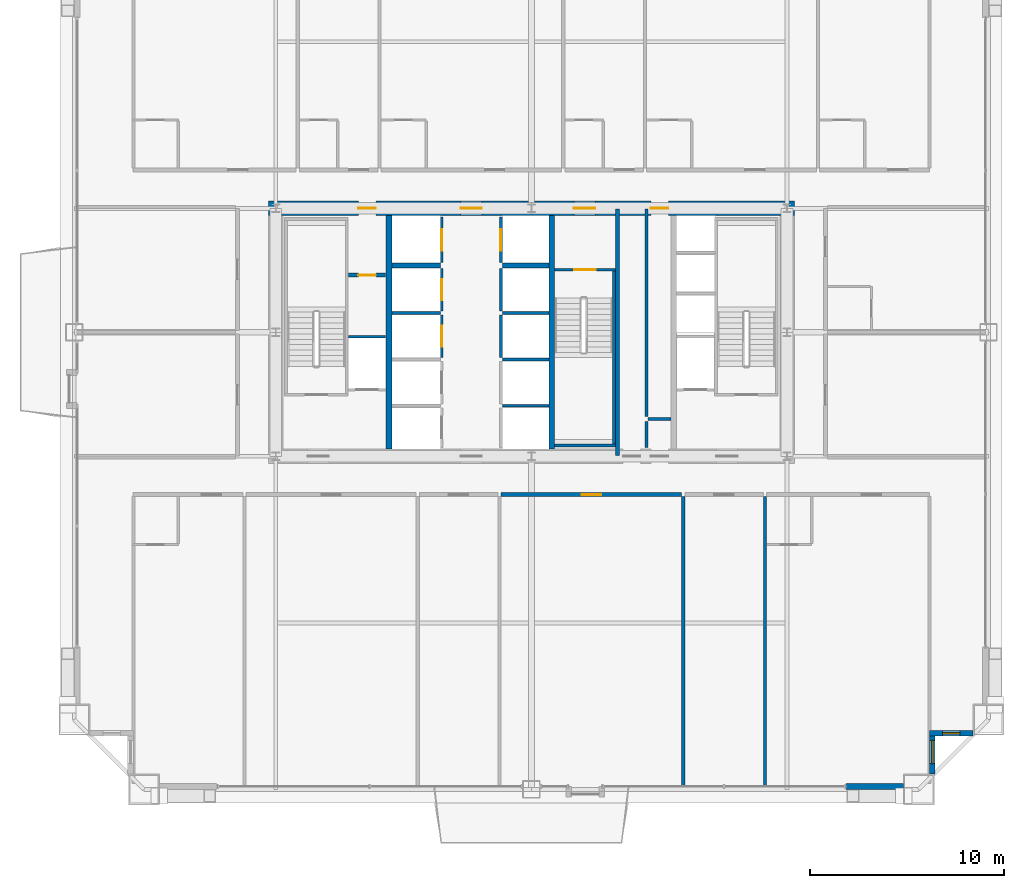
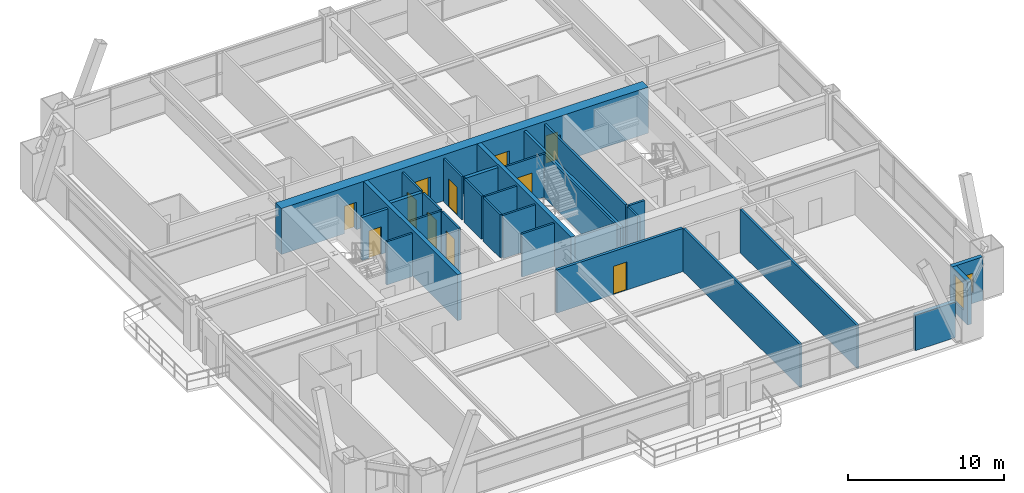
# One storey, part 39 of 42: 30 walls, 11 doors, 2 windows, 13 openings.
"""IFC4 building model written with IfcOpenShell, lengths in metres."""

import ifcopenshell
import ifcopenshell.guid

model = None  # the IFC model being written
_history = None  # IfcOwnerHistory: only IFC2X3 demands one
_inside = {}  # id of a spatial element -> (the spatial element, [elements in it])
_under = {}  # id of a project, library or spatial element -> (it, [spatial elements below it])
_declared = {}  # id of a project -> (the project, [libraries it declares])
_typed = {}  # id of a type object -> (the type object, [elements of that type])
_made_of = {}  # id of a material, layer set ... -> (it, [elements and type objects made of it])


def new_model(schema):
    """Start an empty IFC model of exactly this schema.

    Asked for "IFC4X3", IfcOpenShell would pick the latest addendum, in which some entities
    have other attributes; the version numbers below select the first issue.
    IFC2X3 requires an IfcOwnerHistory on every rooted entity: one is made here for all.
    """
    global model, _history
    if schema == "IFC4X3":
        model = ifcopenshell.file(schema_version=(4, 3, 0, 0))
    else:
        model = ifcopenshell.file(schema=schema)
    _inside.clear()
    _under.clear()
    _declared.clear()
    _typed.clear()
    _made_of.clear()
    _history = None
    if model.schema == "IFC2X3":
        org = make("IfcOrganization", Name="unknown")
        user = make(
            "IfcPersonAndOrganization",
            ThePerson=make("IfcPerson", FamilyName="unknown"),
            TheOrganization=org,
        )
        app = make(
            "IfcApplication",
            ApplicationDeveloper=org,
            Version="unknown",
            ApplicationFullName="unknown",
            ApplicationIdentifier="unknown",
        )
        _history = make(
            "IfcOwnerHistory",
            OwningUser=user,
            OwningApplication=app,
            ChangeAction="ADDED",
            CreationDate=0,
        )
    return model


def make(cls, **values):
    """One entity of the class cls with the attributes given. An attribute that is None is left unset."""
    return model.create_entity(
        cls, **{name: value for name, value in values.items() if value is not None}
    )


def rooted(cls, **values):
    """An entity with a GlobalId (a new one), such as an element, a storey or a relation."""
    return make(cls, GlobalId=ifcopenshell.guid.new(), OwnerHistory=_history, **values)


def si_unit(unit_type, name, prefix=None):
    """IfcSIUnit, for example si_unit("LENGTHUNIT", "METRE", prefix="MILLI")."""
    return make("IfcSIUnit", UnitType=unit_type, Prefix=prefix, Name=name)


def assignment(units):
    """IfcUnitAssignment: the units of a project."""
    return None if units is None else make("IfcUnitAssignment", Units=units)


def point(xyz):
    """IfcCartesianPoint."""
    return None if xyz is None else make("IfcCartesianPoint", Coordinates=xyz)


def direction(xyz):
    """IfcDirection."""
    return None if xyz is None else make("IfcDirection", DirectionRatios=xyz)


def frame(location, z_axis=None, x_axis=None):
    """IfcAxis2Placement3D, a coordinate frame: its origin and axes. An axis left out is left unset."""
    return make(
        "IfcAxis2Placement3D",
        Location=point(location),
        Axis=direction(z_axis),
        RefDirection=direction(x_axis),
    )


def frame_2d(location, x_axis=None):
    """IfcAxis2Placement2D, a coordinate frame in the plane: its origin and x axis."""
    return make(
        "IfcAxis2Placement2D", Location=point(location), RefDirection=direction(x_axis)
    )


def origin():
    """The frame at (0, 0, 0) with its axes left unset."""
    return frame((0.0, 0.0, 0.0))


def place(relative_to, where):
    """IfcLocalPlacement: puts the frame where relative to a parent placement (None: the world)."""
    return make(
        "IfcLocalPlacement", PlacementRelTo=relative_to, RelativePlacement=where
    )


def context(
    kind, dimensions, precision=None, world=None, true_north=None, identifier=None
):
    """IfcGeometricRepresentationContext, for example the 3D "Model" context."""
    return make(
        "IfcGeometricRepresentationContext",
        ContextIdentifier=identifier,
        ContextType=kind,
        CoordinateSpaceDimension=dimensions,
        Precision=precision,
        WorldCoordinateSystem=world,
        TrueNorth=true_north,
    )


def subcontext(parent, identifier, kind, view, scale=None):
    """IfcGeometricRepresentationSubContext, for example "Body" below "Model"."""
    return make(
        "IfcGeometricRepresentationSubContext",
        ContextIdentifier=identifier,
        ContextType=kind,
        ParentContext=parent,
        TargetScale=scale,
        TargetView=view,
    )


def project(units=None, contexts=None):
    """IfcProject with its units and contexts."""
    return rooted(
        "IfcProject",
        Name="project",
        RepresentationContexts=contexts,
        UnitsInContext=assignment(units),
    )


def spatial(cls, under=None, at=None, **own):
    """A site, building, storey or space (cls), placed at a placement, below another one or the project."""
    s = rooted(cls, ObjectPlacement=at, **own)
    if under is not None:
        _under.setdefault(under.id(), (under, []))[1].append(s)
    return s


def profile(cls, at=None, kind="AREA", **sizes):
    """A parametric profile (cls). Its sizes go by their IFC names, for example OverallWidth=200.0."""
    return make(cls, ProfileType=kind, Position=at, **sizes)


def rectangle(**sizes):
    """IfcRectangleProfileDef."""
    return profile("IfcRectangleProfileDef", **sizes)


def extrude(swept, where, along, depth):
    """IfcExtrudedAreaSolid: the profile swept, set in the frame where, extruded along a direction by depth."""
    return make(
        "IfcExtrudedAreaSolid",
        SweptArea=swept,
        Position=where,
        ExtrudedDirection=direction(along),
        Depth=depth,
    )


def shape(context_of_items, identifier, shape_type, items):
    """IfcShapeRepresentation: the items that make up one representation, for example the "Body"."""
    return make(
        "IfcShapeRepresentation",
        ContextOfItems=context_of_items,
        RepresentationIdentifier=identifier,
        RepresentationType=shape_type,
        Items=items,
    )


def source(mapping_origin, context_of_items, identifier, shape_type, items):
    """IfcRepresentationMap: a shape defined once, which mapped items show again and again."""
    return make(
        "IfcRepresentationMap",
        MappingOrigin=mapping_origin,
        MappedRepresentation=shape(context_of_items, identifier, shape_type, items),
    )


def transform(
    local_origin,
    x_axis=None,
    y_axis=None,
    z_axis=None,
    scale=None,
    scale2=None,
    scale3=None,
    uniform=True,
):
    """IfcCartesianTransformationOperator3D, or its non-uniform kind. x_axis, y_axis, z_axis: its Axis1, 2, 3."""
    if uniform:
        return make(
            "IfcCartesianTransformationOperator3D",
            Axis1=direction(x_axis),
            Axis2=direction(y_axis),
            LocalOrigin=point(local_origin),
            Scale=scale,
            Axis3=direction(z_axis),
        )
    return make(
        "IfcCartesianTransformationOperator3DnonUniform",
        Axis1=direction(x_axis),
        Axis2=direction(y_axis),
        LocalOrigin=point(local_origin),
        Scale=scale,
        Axis3=direction(z_axis),
        Scale2=scale2,
        Scale3=scale3,
    )


def mapped(mapping_source, mapping_target):
    """IfcMappedItem: shows the shape of a source again, moved by a transform."""
    return make(
        "IfcMappedItem", MappingSource=mapping_source, MappingTarget=mapping_target
    )


def material(Name=None, Category=None):
    """IfcMaterial."""
    return make("IfcMaterial", Name=Name, Category=Category)


def layer(
    of_material, thickness, ventilated=None, Name=None, Category=None, Priority=None
):
    """IfcMaterialLayer: one layer of a wall or slab, of a material (None: an air gap)."""
    return make(
        "IfcMaterialLayer",
        Material=of_material,
        LayerThickness=thickness,
        IsVentilated=ventilated,
        Name=Name,
        Category=Category,
        Priority=Priority,
    )


def layer_set(layers, Name=None):
    """IfcMaterialLayerSet."""
    return make("IfcMaterialLayerSet", MaterialLayers=layers, LayerSetName=Name)


def made_of(thing, what):
    """Note that an element or type object is made of a material, layer set ...; save() writes the relation."""
    if what is not None:
        _made_of.setdefault(what.id(), (what, []))[1].append(thing)
    return thing


def type_object(cls, material=None, **own):
    """A type object (cls), such as IfcWallType, which elements share."""
    return made_of(rooted(cls, **own), material)


def element(
    cls,
    number,
    at=None,
    inside=None,
    cuts=None,
    type_object=None,
    material=None,
    context=None,
    identifier="Body",
    shape_type=None,
    held_by="IfcProductDefinitionShape",
    body=None,
    shapes=None,
    **own,
):
    """One element of the class cls, such as IfcWall. Its Tag is "e" and its number.

    at: its placement. inside: the storey or other place that contains it. cuts: it is an
    opening in that element (IfcRelVoidsElement). A single representation is given by context,
    identifier, shape_type and body (its items); several are given by shapes. held_by: the class
    of the entity that holds the representations. save() writes the other relations.
    """
    e = rooted(cls, Tag="e%d" % number, ObjectPlacement=at, **own)
    if body is not None:
        shapes = [shape(context, identifier, shape_type, body)]
    if shapes is not None:
        e.Representation = make(held_by, Representations=shapes)
    if inside is not None:
        _inside.setdefault(inside.id(), (inside, []))[1].append(e)
    if cuts is not None:
        rooted(
            "IfcRelVoidsElement", RelatingBuildingElement=cuts, RelatedOpeningElement=e
        )
    if type_object is not None:
        _typed.setdefault(type_object.id(), (type_object, []))[1].append(e)
    return made_of(e, material)


def fill(opening, filler):
    """IfcRelFillsElement: the door or window that sits in an opening."""
    return rooted(
        "IfcRelFillsElement",
        RelatingOpeningElement=opening,
        RelatedBuildingElement=filler,
    )


def aggregate(whole, parts):
    """IfcRelAggregates: a whole, such as a stair, and the parts it consists of."""
    return rooted("IfcRelAggregates", RelatingObject=whole, RelatedObjects=parts)


def save(model, path):
    """Write the relations noted so far, then the file.

    IfcRelAggregates (storeys below a building ...), IfcRelContainedInSpatialStructure (elements
    in a storey), IfcRelDefinesByType, IfcRelAssociatesMaterial and IfcRelDeclares: one each for
    every whole, place, type object, material and project.
    """
    for whole, parts in _under.values():
        aggregate(whole, parts)
    for where, things in _inside.values():
        rooted(
            "IfcRelContainedInSpatialStructure",
            RelatedElements=things,
            RelatingStructure=where,
        )
    for kind, things in _typed.values():
        rooted("IfcRelDefinesByType", RelatedObjects=things, RelatingType=kind)
    for what, things in _made_of.values():
        rooted("IfcRelAssociatesMaterial", RelatedObjects=things, RelatingMaterial=what)
    for by, libraries in _declared.values():
        rooted("IfcRelDeclares", RelatingContext=by, RelatedDefinitions=libraries)
    model.write(path)


model = new_model("IFC4")

# Units and contexts
model_context = context("Model", 3, precision=1e-05, world=origin(), true_north=direction((0.0, 1.0)))
body_context = subcontext(model_context, "Body", "Model", "MODEL_VIEW")
ifc_project = project(units=[si_unit("LENGTHUNIT", "METRE"), si_unit("AREAUNIT", "SQUARE_METRE"), si_unit("VOLUMEUNIT", "CUBIC_METRE"), si_unit("PLANEANGLEUNIT", "RADIAN"), si_unit("MASSUNIT", "GRAM", prefix="KILO"), si_unit("THERMODYNAMICTEMPERATUREUNIT", "KELVIN"), si_unit("POWERUNIT", "WATT")], contexts=[model_context])

# Site, building, storey
site_placement = place(None, origin())
site = spatial("IfcSite", under=ifc_project, at=site_placement, CompositionType="ELEMENT")
building_placement = place(site_placement, origin())
building = spatial("IfcBuilding", under=site, at=building_placement, Name="Yuzanri Waterfront Tower", CompositionType="ELEMENT")
storey_placement = place(building_placement, frame((0.0, 0.0, 145.199951171875)))
storey = spatial("IfcBuildingStorey", under=building, at=storey_placement, Name="L38", CompositionType="ELEMENT", Elevation=145.199951171875)

# Wall, opening, window
ifc_material_1 = material(Name="Honed Chongqing Dark Basalt Stone", Category="masonry")
ifc_layer_1 = layer(ifc_material_1, 0.300048828125)
ifc_layer_set_1 = layer_set([ifc_layer_1], Name="Honed Chongqing Dark Basalt Stone")
wall_type_1 = type_object("IfcWallType", Name="Bronze Rainscreen Insulated Spandrel Portal Wall 300", PredefinedType="SOLIDWALL", material=ifc_layer_set_1)
wall_1_placement = place(storey_placement, frame((57.550048828125, 5.10009765625, 0.0), z_axis=(0.0, 0.0, 1.0), x_axis=(1.0, 0.0, 0.0)))
wall_1 = element("IfcWall", 1, at=wall_1_placement, inside=storey, type_object=wall_type_1, Name="L38 Notched Corner Masonry Wall SE-X", PredefinedType="SOLIDWALL", context=body_context, shape_type="SweptSolid", body=[
    extrude(rectangle(XDim=2.25, YDim=0.300048828125, at=frame_2d((1.125, 0.0))), origin(), (0.0, 0.0, 1.0), 3.380126953125),
])
opening_1_placement = place(wall_1_placement, frame((0.675048828125, 0.0, 0.85009765625)))
opening_1 = element("IfcOpeningElement", 2, at=opening_1_placement, cuts=wall_1, Name="Opening WN-05", PredefinedType="OPENING", context=body_context, shape_type="SweptSolid", body=[
    extrude(rectangle(XDim=0.89990234375, YDim=1.5, at=frame_2d((0.449951171875, 0.75))), frame((0.0, 0.1650390625, 0.0), z_axis=(0.0, -1.0, 0.0), x_axis=(1.0, 0.0, 0.0)), (0.0, 0.0, 1.0), 0.329833984375),
])
ifc_material_2 = material(Name="Double-Silver Low-E Insulated Glass", Category="glass")
window_type_1 = type_object("IfcWindowType", Name="Anodized Bronze Service and Stairwell Smoke-Vent Window 900x1500", PartitioningType="SINGLE_PANEL", PredefinedType="WINDOW", material=ifc_material_2)
shared_shape_1 = source(origin(), body_context, "Body", "SweptSolid", [
    extrude(rectangle(XDim=0.89990234375, YDim=1.5, at=frame_2d((0.449951171875, 0.75))), frame((0.0, 0.030029296875, 0.0), z_axis=(0.0, -1.0, 0.0), x_axis=(1.0, 0.0, 0.0)), (0.0, 0.0, 1.0), 0.06005859375),
])
window_1_placement = place(opening_1_placement, origin())
window_1 = element("IfcWindow", 3, at=window_1_placement, inside=storey, type_object=window_type_1, Name="L38 Notched Corner Window SE-X", OverallHeight=1.5, OverallWidth=0.89990234375, PartitioningType="SINGLE_PANEL", PredefinedType="WINDOW", context=body_context, shape_type="MappedRepresentation", body=[
    mapped(shared_shape_1, transform((0.0, 0.0, 0.0), scale=1.0)),
])
fill(opening_1, window_1)

wall_2_placement = place(storey_placement, frame((57.699951171875, 3.0, 0.0), z_axis=(0.0, 0.0, 1.0), x_axis=(0.0, 1.0, 0.0)))
wall_2 = element("IfcWall", 4, at=wall_2_placement, inside=storey, type_object=wall_type_1, Name="L38 Notched Corner Masonry Wall SE-Y", PredefinedType="SOLIDWALL", context=body_context, shape_type="SweptSolid", body=[
    extrude(rectangle(XDim=2.25, YDim=0.300048828125, at=frame_2d((1.125, 0.0))), origin(), (0.0, 0.0, 1.0), 3.380126953125),
])
opening_2_placement = place(wall_2_placement, frame((0.52490234375, 0.0, 0.85009765625)))
opening_2 = element("IfcOpeningElement", 5, at=opening_2_placement, cuts=wall_2, Name="Opening WN-02", PredefinedType="OPENING", context=body_context, shape_type="SweptSolid", body=[
    extrude(rectangle(XDim=1.199951171875, YDim=2.10009765625, at=frame_2d((0.60009765625, 1.050048828125))), frame((0.0, 0.1650390625, 0.0), z_axis=(0.0, -1.0, 0.0), x_axis=(1.0, 0.0, 0.0)), (0.0, 0.0, 1.0), 0.329833984375),
])
ifc_material_3 = material(Name="Double-Silver Low-E Insulated Glass", Category="glass")
window_type_2 = type_object("IfcWindowType", Name="Anodized Bronze Notched Corner Deep-Set Slot Window 1200x2100", PartitioningType="SINGLE_PANEL", PredefinedType="WINDOW", material=ifc_material_3)
shared_shape_2 = source(origin(), body_context, "Body", "SweptSolid", [
    extrude(rectangle(XDim=1.199951171875, YDim=2.10009765625, at=frame_2d((0.60009765625, 1.050048828125))), frame((0.0, 0.030029296875, 0.0), z_axis=(0.0, -1.0, 0.0), x_axis=(1.0, 0.0, 0.0)), (0.0, 0.0, 1.0), 0.06005859375),
])
window_2_placement = place(opening_2_placement, origin())
window_2 = element("IfcWindow", 6, at=window_2_placement, inside=storey, type_object=window_type_2, Name="L38 Notched Corner Window SE-Y", OverallHeight=2.10009765625, OverallWidth=1.199951171875, PartitioningType="SINGLE_PANEL", PredefinedType="WINDOW", context=body_context, shape_type="MappedRepresentation", body=[
    mapped(shared_shape_2, transform((0.0, 0.0, 0.0), scale=1.0)),
])
fill(opening_2, window_2)

# Wall, openings, doors
ifc_material_4 = material(Name="Concrete C55", Category="concrete")
ifc_layer_2 = layer(ifc_material_4, 0.75)
ifc_layer_set_2 = layer_set([ifc_layer_2], Name="Concrete C55")
wall_type_2 = type_object("IfcWallType", Name="Concrete C55 Low-Mid Zone Core Shear Wall 750", PredefinedType="SHEAR", material=ifc_layer_set_2)
wall_3_placement = place(storey_placement, frame((23.425048828125, 32.199951171875, 0.0), z_axis=(0.0, 0.0, 1.0), x_axis=(1.0, 0.0, 0.0)))
wall_3 = element("IfcWall", 7, at=wall_3_placement, inside=storey, type_object=wall_type_2, Name="L38 Core North Shear Wall", PredefinedType="SHEAR", context=body_context, shape_type="SweptSolid", body=[
    extrude(rectangle(XDim=27.14990234375, YDim=0.75, at=frame_2d((13.574951171875, 0.0))), origin(), (0.0, 0.0, 1.0), 3.60009765625),
])
opening_3_placement = place(wall_3_placement, frame((4.64501953125, 0.0, 0.0)))
opening_3 = element("IfcOpeningElement", 8, at=opening_3_placement, cuts=wall_3, Name="Opening FD-0900", PredefinedType="OPENING", context=body_context, shape_type="SweptSolid", body=[
    extrude(rectangle(XDim=0.89990234375, YDim=2.14990234375, at=frame_2d((0.449951171875, 1.074951171875))), frame((0.0, 0.389892578125, 0.0), z_axis=(0.0, -1.0, 0.0), x_axis=(1.0, 0.0, 0.0)), (0.0, 0.0, 1.0), 0.77978515625),
])
opening_4_placement = place(wall_3_placement, frame((9.925048828125, 0.0, 0.0)))
opening_4 = element("IfcOpeningElement", 9, at=opening_4_placement, cuts=wall_3, Name="Opening FD-1100", PredefinedType="OPENING", context=body_context, shape_type="SweptSolid", body=[
    extrude(rectangle(XDim=1.10009765625, YDim=2.199951171875, at=frame_2d((0.550048828125, 1.10009765625))), frame((0.0, 0.389892578125, 0.0), z_axis=(0.0, -1.0, 0.0), x_axis=(1.0, 0.0, 0.0)), (0.0, 0.0, 1.0), 0.77978515625),
])
opening_5_placement = place(wall_3_placement, frame((15.77490234375, 0.0, 0.0)))
opening_5 = element("IfcOpeningElement", 10, at=opening_5_placement, cuts=wall_3, Name="Opening FD-1100", PredefinedType="OPENING", context=body_context, shape_type="SweptSolid", body=[
    extrude(rectangle(XDim=1.10009765625, YDim=2.199951171875, at=frame_2d((0.550048828125, 1.10009765625))), frame((0.0, 0.389892578125, 0.0), z_axis=(0.0, -1.0, 0.0), x_axis=(1.0, 0.0, 0.0)), (0.0, 0.0, 1.0), 0.77978515625),
])
opening_6_placement = place(wall_3_placement, frame((19.7451171875, 0.0, 0.0)))
opening_6 = element("IfcOpeningElement", 11, at=opening_6_placement, cuts=wall_3, Name="Opening FD-0900", PredefinedType="OPENING", context=body_context, shape_type="SweptSolid", body=[
    extrude(rectangle(XDim=0.89990234375, YDim=2.14990234375, at=frame_2d((0.449951171875, 1.074951171875))), frame((0.0, 0.389892578125, 0.0), z_axis=(0.0, -1.0, 0.0), x_axis=(1.0, 0.0, 0.0)), (0.0, 0.0, 1.0), 0.77978515625),
])
ifc_material_5 = material(Name="Painted Galvanized Fire Steel", Category="steel")
door_type_1 = type_object("IfcDoorType", Name="Smoke-Proof Stair and Lobby Fire Door 1100x2200", OperationType="NOTDEFINED", PredefinedType="DOOR", material=ifc_material_5)
shared_shape_3 = source(origin(), body_context, "Body", "SweptSolid", [
    extrude(rectangle(XDim=1.10009765625, YDim=2.199951171875, at=frame_2d((0.550048828125, 1.10009765625))), frame((0.0, 0.02490234375, 0.0), z_axis=(0.0, -1.0, 0.0), x_axis=(1.0, 0.0, 0.0)), (0.0, 0.0, 1.0), 0.050048828125),
])
door_1_placement = place(opening_4_placement, origin())
door_1 = element("IfcDoor", 12, at=door_1_placement, inside=storey, type_object=door_type_1, Name="L38 Central Lift Lobby North Door", OperationType="SINGLE_SWING_RIGHT", OverallHeight=2.199951171875, OverallWidth=1.10009765625, PredefinedType="DOOR", context=body_context, shape_type="MappedRepresentation", body=[
    mapped(shared_shape_3, transform((0.0, 0.0, 0.0), scale=1.0)),
])
fill(opening_4, door_1)
door_2_placement = place(opening_5_placement, origin())
door_2 = element("IfcDoor", 13, at=door_2_placement, inside=storey, type_object=door_type_1, Name="L38 North Stair Lobby Door", OperationType="SINGLE_SWING_LEFT", OverallHeight=2.199951171875, OverallWidth=1.10009765625, PredefinedType="DOOR", context=body_context, shape_type="MappedRepresentation", body=[
    mapped(shared_shape_3, transform((0.0, 0.0, 0.0), scale=1.0)),
])
fill(opening_5, door_2)
ifc_material_6 = material(Name="Painted Galvanized Fire Steel", Category="steel")
door_type_2 = type_object("IfcDoorType", Name="Riser and Service Room Fire Door 900x2150", OperationType="NOTDEFINED", PredefinedType="DOOR", material=ifc_material_6)
shared_shape_4 = source(origin(), body_context, "Body", "SweptSolid", [
    extrude(rectangle(XDim=0.89990234375, YDim=2.14990234375, at=frame_2d((0.449951171875, 1.074951171875))), frame((0.0, 0.02490234375, 0.0), z_axis=(0.0, -1.0, 0.0), x_axis=(1.0, 0.0, 0.0)), (0.0, 0.0, 1.0), 0.050048828125),
])
door_3_placement = place(opening_3_placement, origin())
door_3 = element("IfcDoor", 14, at=door_3_placement, inside=storey, type_object=door_type_2, Name="L38 Telecom Riser Door", OperationType="SINGLE_SWING_LEFT", OverallHeight=2.14990234375, OverallWidth=0.89990234375, PredefinedType="DOOR", context=body_context, shape_type="MappedRepresentation", body=[
    mapped(shared_shape_4, transform((0.0, 0.0, 0.0), scale=1.0)),
])
fill(opening_3, door_3)
door_4_placement = place(opening_6_placement, origin())
door_4 = element("IfcDoor", 15, at=door_4_placement, inside=storey, type_object=door_type_2, Name="L38 Linen Store Room", OperationType="SINGLE_SWING_LEFT", OverallHeight=2.14990234375, OverallWidth=0.89990234375, PredefinedType="DOOR", context=body_context, shape_type="MappedRepresentation", body=[
    mapped(shared_shape_4, transform((0.0, 0.0, 0.0), scale=1.0)),
])
fill(opening_6, door_4)

# Wall, opening, door
ifc_material_7 = material(Name="Concrete C40", Category="concrete")
ifc_layer_3 = layer(ifc_material_7, 0.139892578125)
ifc_layer_set_3 = layer_set([ifc_layer_3], Name="Concrete C40")
wall_type_3 = type_object("IfcWallType", Name="Core Stair Liner and Hoistway Shaft Wall 140", PredefinedType="SOLIDWALL", material=ifc_layer_set_3)
wall_4_placement = place(storey_placement, frame((32.3701171875, 24.5, 0.0), z_axis=(0.0, 0.0, 1.0), x_axis=(0.0, 1.0, 0.0)))
wall_4 = element("IfcWall", 16, at=wall_4_placement, inside=storey, type_object=wall_type_3, Name="L38 Lift PL-03 Front Shaft Wall", PredefinedType="SOLIDWALL", context=body_context, shape_type="SweptSolid", body=[
    extrude(rectangle(XDim=2.199951171875, YDim=0.139892578125, at=frame_2d((1.10009765625, 0.0))), origin(), (0.0, 0.0, 1.0), 3.380126953125),
])
opening_7_placement = place(wall_4_placement, frame((0.550048828125, 0.0, 0.0)))
opening_7 = element("IfcOpeningElement", 17, at=opening_7_placement, cuts=wall_4, Name="Opening LD-PL-03", PredefinedType="OPENING", context=body_context, shape_type="SweptSolid", body=[
    extrude(rectangle(XDim=1.10009765625, YDim=2.199951171875, at=frame_2d((0.550048828125, 1.10009765625))), frame((0.0, 0.0849609375, 0.0), z_axis=(0.0, -1.0, 0.0), x_axis=(1.0, 0.0, 0.0)), (0.0, 0.0, 1.0), 0.169677734375),
])
ifc_material_8 = material(Name="Brushed Bronze and Stainless Steel Cab", Category="steel")
door_type_3 = type_object("IfcDoorType", Name="Center-Parting Bronze Lift Landing Sliding Door 1100x2200", OperationType="NOTDEFINED", PredefinedType="DOOR", material=ifc_material_8)
shared_shape_5 = source(origin(), body_context, "Body", "SweptSolid", [
    extrude(rectangle(XDim=1.10009765625, YDim=2.199951171875, at=frame_2d((0.550048828125, 1.10009765625))), frame((0.0, 0.02490234375, 0.0), z_axis=(0.0, -1.0, 0.0), x_axis=(1.0, 0.0, 0.0)), (0.0, 0.0, 1.0), 0.050048828125),
])
door_5_placement = place(opening_7_placement, origin())
door_5 = element("IfcDoor", 18, at=door_5_placement, inside=storey, type_object=door_type_3, Name="L38 PL-03 Lift Landing Sliding Door", OperationType="SLIDING_TO_LEFT", OverallHeight=2.199951171875, OverallWidth=1.10009765625, PredefinedType="DOOR", context=body_context, shape_type="MappedRepresentation", body=[
    mapped(shared_shape_5, transform((0.0, 0.0, 0.0), scale=1.0)),
])
fill(opening_7, door_5)

wall_5_placement = place(storey_placement, frame((32.3701171875, 26.89990234375, 0.0), z_axis=(0.0, 0.0, 1.0), x_axis=(0.0, 1.0, 0.0)))
wall_5 = element("IfcWall", 19, at=wall_5_placement, inside=storey, type_object=wall_type_3, Name="L38 Lift PL-04 Front Shaft Wall", PredefinedType="SOLIDWALL", context=body_context, shape_type="SweptSolid", body=[
    extrude(rectangle(XDim=2.2001953125, YDim=0.139892578125, at=frame_2d((1.10009765625, 0.0))), origin(), (0.0, 0.0, 1.0), 3.380126953125),
])
opening_8_placement = place(wall_5_placement, frame((0.550048828125, 0.0, 0.0)))
opening_8 = element("IfcOpeningElement", 20, at=opening_8_placement, cuts=wall_5, Name="Opening LD-PL-04", PredefinedType="OPENING", context=body_context, shape_type="SweptSolid", body=[
    extrude(rectangle(XDim=1.10009765625, YDim=2.199951171875, at=frame_2d((0.550048828125, 1.10009765625))), frame((0.0, 0.0849609375, 0.0), z_axis=(0.0, -1.0, 0.0), x_axis=(1.0, 0.0, 0.0)), (0.0, 0.0, 1.0), 0.169677734375),
])
door_6_placement = place(opening_8_placement, origin())
door_6 = element("IfcDoor", 21, at=door_6_placement, inside=storey, type_object=door_type_3, Name="L38 PL-04 Lift Landing Sliding Door", OperationType="SLIDING_TO_RIGHT", OverallHeight=2.199951171875, OverallWidth=1.10009765625, PredefinedType="DOOR", context=body_context, shape_type="MappedRepresentation", body=[
    mapped(shared_shape_5, transform((0.0, 0.0, 0.0), scale=1.0)),
])
fill(opening_8, door_6)

wall_6_placement = place(storey_placement, frame((32.3701171875, 29.39990234375, 0.0), z_axis=(0.0, 0.0, 1.0), x_axis=(0.0, 1.0, 0.0)))
wall_6 = element("IfcWall", 22, at=wall_6_placement, inside=storey, type_object=wall_type_3, Name="L38 Lift SL-01 Front Shaft Wall", PredefinedType="SOLIDWALL", context=body_context, shape_type="SweptSolid", body=[
    extrude(rectangle(XDim=2.340087890625, YDim=0.139892578125, at=frame_2d((1.169921875, 0.0))), origin(), (0.0, 0.0, 1.0), 3.380126953125),
])
opening_9_placement = place(wall_6_placement, frame((0.6201171875, 0.0, 0.0)))
opening_9 = element("IfcOpeningElement", 23, at=opening_9_placement, cuts=wall_6, Name="Opening LD-SL-01", PredefinedType="OPENING", context=body_context, shape_type="SweptSolid", body=[
    extrude(rectangle(XDim=1.10009765625, YDim=2.199951171875, at=frame_2d((0.550048828125, 1.10009765625))), frame((0.0, 0.0849609375, 0.0), z_axis=(0.0, -1.0, 0.0), x_axis=(1.0, 0.0, 0.0)), (0.0, 0.0, 1.0), 0.169677734375),
])
door_7_placement = place(opening_9_placement, origin())
door_7 = element("IfcDoor", 24, at=door_7_placement, inside=storey, type_object=door_type_3, Name="L38 SL-01 Lift Landing Sliding Door", OperationType="SLIDING_TO_LEFT", OverallHeight=2.199951171875, OverallWidth=1.10009765625, PredefinedType="DOOR", context=body_context, shape_type="MappedRepresentation", body=[
    mapped(shared_shape_5, transform((0.0, 0.0, 0.0), scale=1.0)),
])
fill(opening_9, door_7)

wall_7_placement = place(storey_placement, frame((35.429931640625, 29.39990234375, 0.0), z_axis=(0.0, 0.0, 1.0), x_axis=(0.0, 1.0, 0.0)))
wall_7 = element("IfcWall", 25, at=wall_7_placement, inside=storey, type_object=wall_type_3, Name="L38 Lift SL-02 Front Shaft Wall", PredefinedType="SOLIDWALL", context=body_context, shape_type="SweptSolid", body=[
    extrude(rectangle(XDim=2.340087890625, YDim=0.139892578125, at=frame_2d((1.169921875, 0.0))), origin(), (0.0, 0.0, 1.0), 3.380126953125),
])
opening_10_placement = place(wall_7_placement, frame((0.6201171875, 0.0, 0.0)))
opening_10 = element("IfcOpeningElement", 26, at=opening_10_placement, cuts=wall_7, Name="Opening LD-SL-02", PredefinedType="OPENING", context=body_context, shape_type="SweptSolid", body=[
    extrude(rectangle(XDim=1.10009765625, YDim=2.199951171875, at=frame_2d((0.550048828125, 1.10009765625))), frame((0.0, 0.0849609375, 0.0), z_axis=(0.0, -1.0, 0.0), x_axis=(1.0, 0.0, 0.0)), (0.0, 0.0, 1.0), 0.169677734375),
])
door_8_placement = place(opening_10_placement, origin())
door_8 = element("IfcDoor", 27, at=door_8_placement, inside=storey, type_object=door_type_3, Name="L38 SL-02 Lift Landing Sliding Door", OperationType="SLIDING_TO_RIGHT", OverallHeight=2.199951171875, OverallWidth=1.10009765625, PredefinedType="DOOR", context=body_context, shape_type="MappedRepresentation", body=[
    mapped(shared_shape_5, transform((0.0, 0.0, 0.0), scale=1.0)),
])
fill(opening_10, door_8)

wall_8_placement = place(storey_placement, frame((38.199951171875, 29.030029296875, 0.0), z_axis=(0.0, 0.0, 1.0), x_axis=(1.0, 0.0, 0.0)))
wall_8 = element("IfcWall", 28, at=wall_8_placement, inside=storey, type_object=wall_type_3, Name="L38 Shaft Wall STW-L38-ST-03-N", PredefinedType="SOLIDWALL", context=body_context, shape_type="SweptSolid", body=[
    extrude(rectangle(XDim=3.14013671875, YDim=0.139892578125, at=frame_2d((1.570068359375, 0.0))), origin(), (0.0, 0.0, 1.0), 3.380126953125),
])
opening_11_placement = place(wall_8_placement, frame((1.02001953125, 0.0, 0.0)))
opening_11 = element("IfcOpeningElement", 29, at=opening_11_placement, cuts=wall_8, Name="Opening FD-1100", PredefinedType="OPENING", context=body_context, shape_type="SweptSolid", body=[
    extrude(rectangle(XDim=1.10009765625, YDim=2.199951171875, at=frame_2d((0.550048828125, 1.10009765625))), frame((0.0, 0.0849609375, 0.0), z_axis=(0.0, -1.0, 0.0), x_axis=(1.0, 0.0, 0.0)), (0.0, 0.0, 1.0), 0.169677734375),
])
door_9_placement = place(opening_11_placement, origin())
door_9 = element("IfcDoor", 30, at=door_9_placement, inside=storey, type_object=door_type_1, Name="L38 Stair ST-03 Fire Door", OperationType="SINGLE_SWING_LEFT", OverallHeight=2.199951171875, OverallWidth=1.10009765625, PredefinedType="DOOR", context=body_context, shape_type="MappedRepresentation", body=[
    mapped(shared_shape_3, transform((0.0, 0.0, 0.0), scale=1.0)),
])
fill(opening_11, door_9)

ifc_material_9 = material(Name="Autoclaved Aerated Concrete Blockwork", Category="masonry")
ifc_layer_4 = layer(ifc_material_9, 0.199951171875)
ifc_layer_set_4 = layer_set([ifc_layer_4], Name="Autoclaved Aerated Concrete Blockwork")
wall_type_4 = type_object("IfcWallType", Name="Corridor and Unit Party Fire Wall 200", PredefinedType="PARTITIONING", material=ifc_layer_set_4)
wall_9_placement = place(storey_placement, frame((27.56005859375, 28.75, 0.0), z_axis=(0.0, 0.0, 1.0), x_axis=(1.0, 0.0, 0.0)))
wall_9 = element("IfcWall", 31, at=wall_9_placement, inside=storey, type_object=wall_type_4, Name="L38 Partition CRW-L38-ERTR", PredefinedType="PARTITIONING", context=body_context, shape_type="SweptSolid", body=[
    extrude(rectangle(XDim=1.919921875, YDim=0.199951171875, at=frame_2d((0.9599609375, 0.0))), origin(), (0.0, 0.0, 1.0), 3.380126953125),
])
opening_12_placement = place(wall_9_placement, frame((0.510009765625, 0.0, 0.0)))
opening_12 = element("IfcOpeningElement", 32, at=opening_12_placement, cuts=wall_9, Name="Opening FD-0900", PredefinedType="OPENING", context=body_context, shape_type="SweptSolid", body=[
    extrude(rectangle(XDim=0.89990234375, YDim=2.14990234375, at=frame_2d((0.449951171875, 1.074951171875))), frame((0.0, 0.11474609375, 0.0), z_axis=(0.0, -1.0, 0.0), x_axis=(1.0, 0.0, 0.0)), (0.0, 0.0, 1.0), 0.229736328125),
])
door_10_placement = place(opening_12_placement, origin())
door_10 = element("IfcDoor", 33, at=door_10_placement, inside=storey, type_object=door_type_2, Name="L38 Electrical Riser Door", OperationType="SINGLE_SWING_RIGHT", OverallHeight=2.14990234375, OverallWidth=0.89990234375, PredefinedType="DOOR", context=body_context, shape_type="MappedRepresentation", body=[
    mapped(shared_shape_4, transform((0.0, 0.0, 0.0), scale=1.0)),
])
fill(opening_12, door_10)

wall_10_placement = place(storey_placement, frame((35.43505859375, 17.419921875, 0.0), z_axis=(0.0, 0.0, 1.0), x_axis=(1.0, 0.0, 0.0)))
wall_10 = element("IfcWall", 34, at=wall_10_placement, inside=storey, type_object=wall_type_4, Name="L38 Partition UW-L38-S4-CN", PredefinedType="PARTITIONING", context=body_context, shape_type="SweptSolid", body=[
    extrude(rectangle(XDim=9.324951171875, YDim=0.199951171875, at=frame_2d((4.66259765625, 0.0))), origin(), (0.0, 0.0, 1.0), 3.380126953125),
])
opening_13_placement = place(wall_10_placement, frame((4.162109375, 0.0, 0.0)))
opening_13 = element("IfcOpeningElement", 35, at=opening_13_placement, cuts=wall_10, Name="Opening FD-1000", PredefinedType="OPENING", context=body_context, shape_type="SweptSolid", body=[
    extrude(rectangle(XDim=1.0, YDim=2.199951171875, at=frame_2d((0.5, 1.10009765625))), frame((0.0, 0.11474609375, 0.0), z_axis=(0.0, -1.0, 0.0), x_axis=(1.0, 0.0, 0.0)), (0.0, 0.0, 1.0), 0.229736328125),
])
ifc_material_10 = material(Name="Engineered Oak Fire-Rated Timber", Category="wood")
door_type_4 = type_object("IfcDoorType", Name="Guestroom and Apartment Entrance Fire Door 1000x2200", OperationType="NOTDEFINED", PredefinedType="DOOR", material=ifc_material_10)
shared_shape_6 = source(origin(), body_context, "Body", "SweptSolid", [
    extrude(rectangle(XDim=1.0, YDim=2.199951171875, at=frame_2d((0.5, 1.10009765625))), frame((0.0, 0.02490234375, 0.0), z_axis=(0.0, -1.0, 0.0), x_axis=(1.0, 0.0, 0.0)), (0.0, 0.0, 1.0), 0.050048828125),
])
door_11_placement = place(opening_13_placement, origin())
door_11 = element("IfcDoor", 36, at=door_11_placement, inside=storey, type_object=door_type_4, Name="L38 Private Office 3 Entrance Door", OperationType="SINGLE_SWING_RIGHT", OverallHeight=2.199951171875, OverallWidth=1.0, PredefinedType="DOOR", context=body_context, shape_type="MappedRepresentation", body=[
    mapped(shared_shape_6, transform((0.0, 0.0, 0.0), scale=1.0)),
])
fill(opening_13, door_11)

# Walls
ifc_material_11 = material(Name="Concrete C50", Category="concrete")
ifc_layer_5 = layer(ifc_material_11, 0.300048828125)
ifc_layer_set_5 = layer_set([ifc_layer_5], Name="Concrete C50")
wall_type_5 = type_object("IfcWallType", Name="Concrete C50 Internal Core Shaft Structural Wall 300", PredefinedType="SOLIDWALL", material=ifc_layer_set_5)
shared_shape_7 = source(origin(), body_context, "Body", "SweptSolid", [
    extrude(rectangle(XDim=12.050048828125, YDim=0.300048828125, at=frame_2d((6.02490234375, 0.0))), origin(), (0.0, 0.0, 1.0), 3.60009765625),
])
for number, where, z_axis, x_axis, name in (
    (37, (29.64990234375, 19.77490234375, 0.0), (0.0, 0.0, 1.0), (0.0, 1.0, 0.0), "L38 Core Internal Structural Web Wall 1"),
    (38, (38.050048828125, 19.77490234375, 0.0), (0.0, 0.0, 1.0), (0.0, 1.0, 0.0), "L38 Core Internal Structural Web Wall 2"),
):
    element("IfcWall", number, at=place(storey_placement, frame(where, z_axis=z_axis, x_axis=x_axis)), inside=storey, type_object=wall_type_5, Name=name, PredefinedType="SOLIDWALL", context=body_context, shape_type="MappedRepresentation", body=[
        mapped(shared_shape_7, transform((0.0, 0.0, 0.0), scale=1.0)),
    ])
shared_shape_8 = source(origin(), body_context, "Body", "SweptSolid", [
    extrude(rectangle(XDim=2.949951171875, YDim=0.300048828125, at=frame_2d((1.47509765625, 0.0))), origin(), (0.0, 0.0, 1.0), 2.775146484375),
])
wall_11_placement = place(storey_placement, frame((53.25, 2.35009765625, 0.0), z_axis=(0.0, 0.0, 1.0), x_axis=(1.0, 0.0, 0.0)))
element("IfcWall", 39, at=wall_11_placement, inside=storey, type_object=wall_type_1, Name="L38 S Right Braced Masonry Shoulder", PredefinedType="SOLIDWALL", context=body_context, shape_type="MappedRepresentation", body=[
    mapped(shared_shape_8, transform((0.0, 0.0, 0.0), scale=1.0)),
])
shared_shape_9 = source(origin(), body_context, "Body", "SweptSolid", [
    extrude(rectangle(XDim=1.919921875, YDim=0.139892578125, at=frame_2d((0.9599609375, 0.0))), origin(), (0.0, 0.0, 1.0), 3.380126953125),
])
wall_12_placement = place(storey_placement, frame((27.56005859375, 25.570068359375, 0.0), z_axis=(0.0, 0.0, 1.0), x_axis=(1.0, 0.0, 0.0)))
element("IfcWall", 40, at=wall_12_placement, inside=storey, type_object=wall_type_3, Name="L38 Lift FL-01 Back Shaft Wall", PredefinedType="SOLIDWALL", context=body_context, shape_type="MappedRepresentation", body=[
    mapped(shared_shape_9, transform((0.0, 0.0, 0.0), scale=1.0)),
])
shared_shape_10 = source(origin(), body_context, "Body", "SweptSolid", [
    extrude(rectangle(XDim=2.5, YDim=0.139892578125, at=frame_2d((1.25, 0.0))), origin(), (0.0, 0.0, 1.0), 3.380126953125),
])
wall_13_placement = place(storey_placement, frame((29.800048828125, 26.800048828125, 0.0), z_axis=(0.0, 0.0, 1.0), x_axis=(1.0, 0.0, 0.0)))
element("IfcWall", 41, at=wall_13_placement, inside=storey, type_object=wall_type_3, Name="L38 Lift PL-03 Divider Wall", PredefinedType="SOLIDWALL", context=body_context, shape_type="MappedRepresentation", body=[
    mapped(shared_shape_10, transform((0.0, 0.0, 0.0), scale=1.0)),
])
ifc_material_12 = material(Name="Concrete C40", Category="concrete")
ifc_layer_6 = layer(ifc_material_12, 0.25)
ifc_layer_set_6 = layer_set([ifc_layer_6], Name="Concrete C40")
wall_type_6 = type_object("IfcWallType", Name="Smoke-Proof Stair and Lift Shaft Wall 250", PredefinedType="SOLIDWALL", material=ifc_layer_set_6)
shared_shape_11 = source(origin(), body_context, "Body", "SweptSolid", [
    extrude(rectangle(XDim=2.5, YDim=0.25, at=frame_2d((1.25, 0.0))), origin(), (0.0, 0.0, 1.0), 3.380126953125),
])
wall_14_placement = place(storey_placement, frame((29.800048828125, 29.25, 0.0), z_axis=(0.0, 0.0, 1.0), x_axis=(1.0, 0.0, 0.0)))
element("IfcWall", 42, at=wall_14_placement, inside=storey, type_object=wall_type_6, Name="L38 Lift SL-01 South Shaft Wall", PredefinedType="SOLIDWALL", context=body_context, shape_type="MappedRepresentation", body=[
    mapped(shared_shape_11, transform((0.0, 0.0, 0.0), scale=1.0)),
])
shared_shape_12 = source(origin(), body_context, "Body", "SweptSolid", [
    extrude(rectangle(XDim=2.39990234375, YDim=0.139892578125, at=frame_2d((1.199951171875, 0.0))), origin(), (0.0, 0.0, 1.0), 3.380126953125),
])
for number, where, z_axis, x_axis, name in (
    (43, (35.5, 22.0, 0.0), (0.0, 0.0, 1.0), (1.0, 0.0, 0.0), "L38 Lift PL-05 Divider Wall"),
    (44, (35.5, 24.39990234375, 0.0), (0.0, 0.0, 1.0), (1.0, 0.0, 0.0), "L38 Lift PL-06 Divider Wall"),
    (45, (35.5, 26.800048828125, 0.0), (0.0, 0.0, 1.0), (1.0, 0.0, 0.0), "L38 Lift PL-07 Divider Wall"),
):
    element("IfcWall", number, at=place(storey_placement, frame(where, z_axis=z_axis, x_axis=x_axis)), inside=storey, type_object=wall_type_3, Name=name, PredefinedType="SOLIDWALL", context=body_context, shape_type="MappedRepresentation", body=[
        mapped(shared_shape_12, transform((0.0, 0.0, 0.0), scale=1.0)),
    ])
shared_shape_13 = source(origin(), body_context, "Body", "SweptSolid", [
    extrude(rectangle(XDim=2.199951171875, YDim=0.139892578125, at=frame_2d((1.10009765625, 0.0))), origin(), (0.0, 0.0, 1.0), 3.380126953125),
])
wall_15_placement = place(storey_placement, frame((35.429931640625, 24.5, 0.0), z_axis=(0.0, 0.0, 1.0), x_axis=(0.0, 1.0, 0.0)))
element("IfcWall", 46, at=wall_15_placement, inside=storey, type_object=wall_type_3, Name="L38 Lift PL-07 Front Shaft Wall", PredefinedType="SOLIDWALL", context=body_context, shape_type="MappedRepresentation", body=[
    mapped(shared_shape_13, transform((0.0, 0.0, 0.0), scale=1.0)),
])
shared_shape_14 = source(origin(), body_context, "Body", "SweptSolid", [
    extrude(rectangle(XDim=2.2001953125, YDim=0.139892578125, at=frame_2d((1.10009765625, 0.0))), origin(), (0.0, 0.0, 1.0), 3.380126953125),
])
wall_16_placement = place(storey_placement, frame((35.429931640625, 26.89990234375, 0.0), z_axis=(0.0, 0.0, 1.0), x_axis=(0.0, 1.0, 0.0)))
element("IfcWall", 47, at=wall_16_placement, inside=storey, type_object=wall_type_3, Name="L38 Lift PL-08 Front Shaft Wall", PredefinedType="SOLIDWALL", context=body_context, shape_type="MappedRepresentation", body=[
    mapped(shared_shape_14, transform((0.0, 0.0, 0.0), scale=1.0)),
])
shared_shape_15 = source(origin(), body_context, "Body", "SweptSolid", [
    extrude(rectangle(XDim=2.39990234375, YDim=0.25, at=frame_2d((1.199951171875, 0.0))), origin(), (0.0, 0.0, 1.0), 3.380126953125),
])
wall_17_placement = place(storey_placement, frame((35.5, 29.25, 0.0), z_axis=(0.0, 0.0, 1.0), x_axis=(1.0, 0.0, 0.0)))
element("IfcWall", 48, at=wall_17_placement, inside=storey, type_object=wall_type_6, Name="L38 Lift SL-02 South Shaft Wall", PredefinedType="SOLIDWALL", context=body_context, shape_type="MappedRepresentation", body=[
    mapped(shared_shape_15, transform((0.0, 0.0, 0.0), scale=1.0)),
])
shared_shape_16 = source(origin(), body_context, "Body", "SweptSolid", [
    extrude(rectangle(XDim=3.14013671875, YDim=0.139892578125, at=frame_2d((1.570068359375, 0.0))), origin(), (0.0, 0.0, 1.0), 3.380126953125),
])
wall_18_placement = place(storey_placement, frame((38.199951171875, 19.949951171875, 0.0), z_axis=(0.0, 0.0, 1.0), x_axis=(1.0, 0.0, 0.0)))
element("IfcWall", 49, at=wall_18_placement, inside=storey, type_object=wall_type_3, Name="L38 Stair ST-03 South Shaft Wall", PredefinedType="SOLIDWALL", context=body_context, shape_type="MappedRepresentation", body=[
    mapped(shared_shape_16, transform((0.0, 0.0, 0.0), scale=1.0)),
])
shared_shape_17 = source(origin(), body_context, "Body", "SweptSolid", [
    extrude(rectangle(XDim=8.93994140625, YDim=0.139892578125, at=frame_2d((4.469970703125, 0.0))), origin(), (0.0, 0.0, 1.0), 3.380126953125),
])
wall_19_placement = place(storey_placement, frame((41.27001953125, 20.02001953125, 0.0), z_axis=(0.0, 0.0, 1.0), x_axis=(0.0, 1.0, 0.0)))
element("IfcWall", 50, at=wall_19_placement, inside=storey, type_object=wall_type_3, Name="L38 Stair ST-03 East Shaft Wall", PredefinedType="SOLIDWALL", context=body_context, shape_type="MappedRepresentation", body=[
    mapped(shared_shape_17, transform((0.0, 0.0, 0.0), scale=1.0)),
])
ifc_material_13 = material(Name="Gypsum Fireboard Acoustic Stud Wall", Category="gypsum")
ifc_layer_7 = layer(ifc_material_13, 0.159912109375)
ifc_layer_set_7 = layer_set([ifc_layer_7], Name="Gypsum Fireboard Acoustic Stud Wall")
wall_type_7 = type_object("IfcWallType", Name="Acoustic Suite Demising Partition 160", PredefinedType="PARTITIONING", material=ifc_layer_set_7)
shared_shape_18 = source(origin(), body_context, "Body", "SweptSolid", [
    extrude(rectangle(XDim=1.33984375, YDim=0.159912109375, at=frame_2d((0.669921875, 0.0))), origin(), (0.0, 0.0, 1.0), 3.380126953125),
])
wall_20_placement = place(storey_placement, frame((42.949951171875, 19.860107421875, 0.0), z_axis=(0.0, 0.0, 1.0), x_axis=(0.0, 1.0, 0.0)))
element("IfcWall", 51, at=wall_20_placement, inside=storey, type_object=wall_type_7, Name="L38 East Wet Riser West Wall", PredefinedType="PARTITIONING", context=body_context, shape_type="MappedRepresentation", body=[
    mapped(shared_shape_18, transform((0.0, 0.0, 0.0), scale=1.0)),
])
shared_shape_19 = source(origin(), body_context, "Body", "SweptSolid", [
    extrude(rectangle(XDim=1.169921875, YDim=0.159912109375, at=frame_2d((0.5849609375, 0.0))), origin(), (0.0, 0.0, 1.0), 3.380126953125),
])
wall_21_placement = place(storey_placement, frame((43.030029296875, 21.320068359375, 0.0), z_axis=(0.0, 0.0, 1.0), x_axis=(1.0, 0.0, 0.0)))
element("IfcWall", 52, at=wall_21_placement, inside=storey, type_object=wall_type_7, Name="L38 East Wet Riser North Wall", PredefinedType="PARTITIONING", context=body_context, shape_type="MappedRepresentation", body=[
    mapped(shared_shape_19, transform((0.0, 0.0, 0.0), scale=1.0)),
])
shared_shape_20 = source(origin(), body_context, "Body", "SweptSolid", [
    extrude(rectangle(XDim=12.719970703125, YDim=0.199951171875, at=frame_2d((6.35986328125, 0.0))), origin(), (0.0, 0.0, 1.0), 3.380126953125),
])
wall_22_placement = place(storey_placement, frame((41.449951171875, 19.43994140625, 0.0), z_axis=(0.0, 0.0, 1.0), x_axis=(0.0, 1.0, 0.0)))
element("IfcWall", 53, at=wall_22_placement, inside=storey, type_object=wall_type_4, Name="L38 Core BOH West Wall 1", PredefinedType="PARTITIONING", context=body_context, shape_type="MappedRepresentation", body=[
    mapped(shared_shape_20, transform((0.0, 0.0, 0.0), scale=1.0)),
])
shared_shape_21 = source(origin(), body_context, "Body", "SweptSolid", [
    extrude(rectangle(XDim=10.719970703125, YDim=0.159912109375, at=frame_2d((5.35986328125, 0.0))), origin(), (0.0, 0.0, 1.0), 3.380126953125),
])
wall_23_placement = place(storey_placement, frame((42.949951171875, 21.43994140625, 0.0), z_axis=(0.0, 0.0, 1.0), x_axis=(0.0, 1.0, 0.0)))
element("IfcWall", 54, at=wall_23_placement, inside=storey, type_object=wall_type_7, Name="L38 Core BOH Mid Wall 2", PredefinedType="PARTITIONING", context=body_context, shape_type="MappedRepresentation", body=[
    mapped(shared_shape_21, transform((0.0, 0.0, 0.0), scale=1.0)),
])
shared_shape_22 = source(origin(), body_context, "Body", "SweptSolid", [
    extrude(rectangle(XDim=14.969970703125, YDim=0.159912109375, at=frame_2d((7.48486328125, 0.0))), origin(), (0.0, 0.0, 1.0), 3.380126953125),
])
for number, where, z_axis, x_axis, name in (
    (55, (44.840087890625, 2.35009765625, 0.0), (0.0, 0.0, 1.0), (0.0, 1.0, 0.0), "L38-S4 Party Wall"),
    (56, (49.06201171875, 2.35009765625, 0.0), (0.0, 0.0, 1.0), (0.0, 1.0, 0.0), "L38-S5 Party Wall"),
):
    element("IfcWall", number, at=place(storey_placement, frame(where, z_axis=z_axis, x_axis=x_axis)), inside=storey, type_object=wall_type_7, Name=name, PredefinedType="PARTITIONING", context=body_context, shape_type="MappedRepresentation", body=[
        mapped(shared_shape_22, transform((0.0, 0.0, 0.0), scale=1.0)),
    ])

save(model, "model.ifc")
